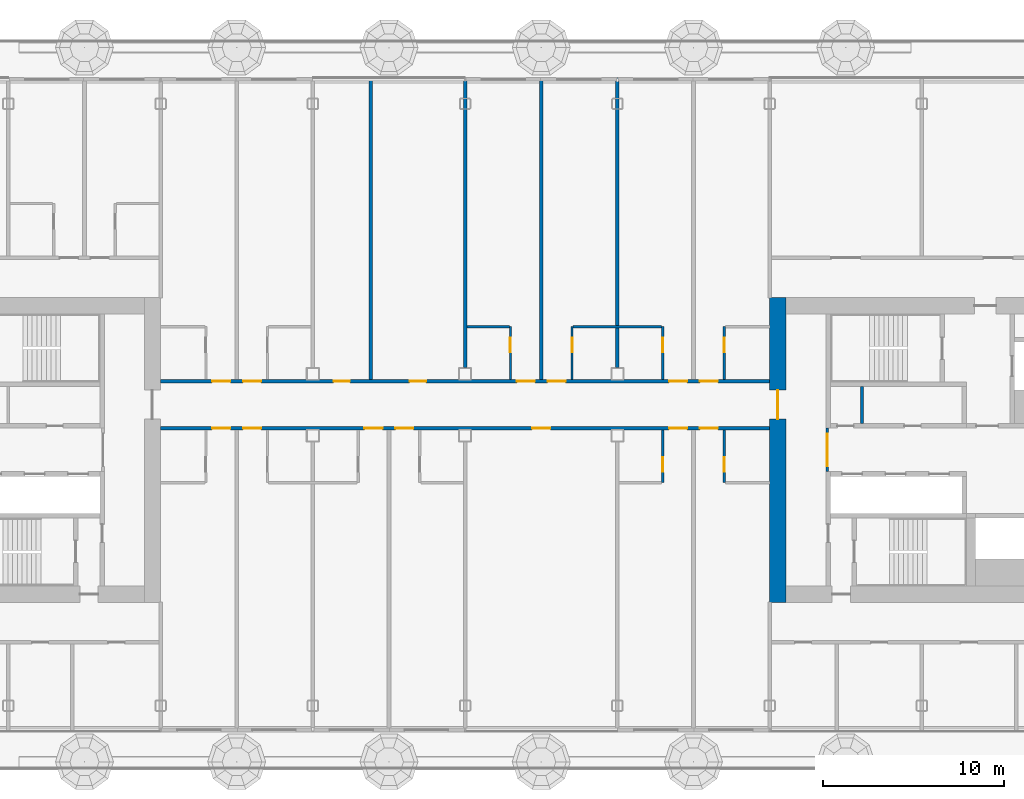
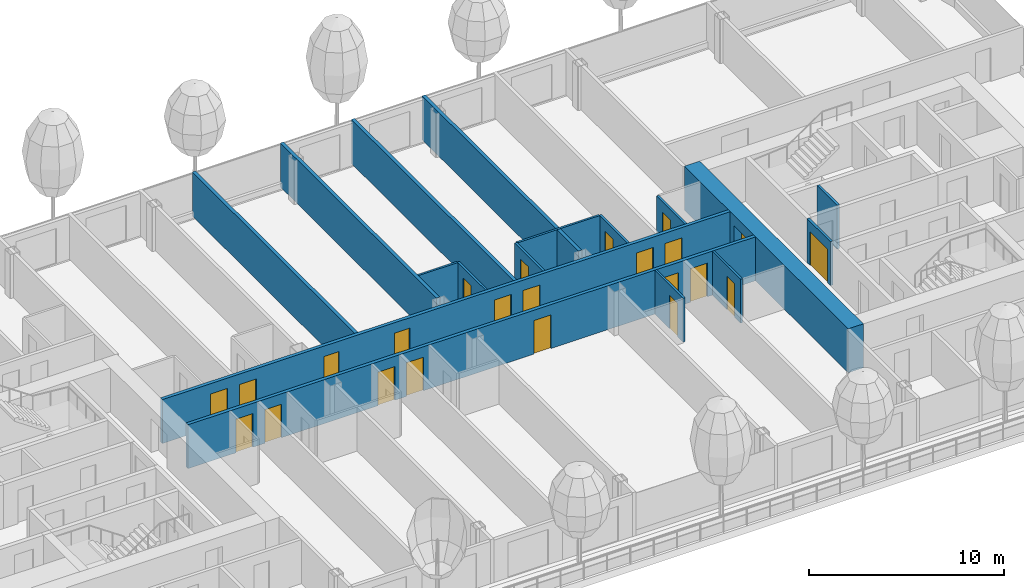
# One storey, part 14 of 29: 23 doors, 17 walls, 23 openings.
"""IFC4 building model written with IfcOpenShell, lengths in metres."""

from ifc_helpers import new_model, si_unit, direction, frame, frame_2d, origin, place, context, subcontext, project, spatial, rectangle, extrude, material, layer, layer_set, type_object, element, fill, save


model = new_model("IFC4")

# Units and contexts
model_context = context("Model", 3, precision=1e-05, world=origin(), true_north=direction((0.0, 1.0)))
body_context = subcontext(model_context, "Body", "Model", "MODEL_VIEW")
ifc_project = project(units=[si_unit("LENGTHUNIT", "METRE"), si_unit("AREAUNIT", "SQUARE_METRE"), si_unit("VOLUMEUNIT", "CUBIC_METRE"), si_unit("PLANEANGLEUNIT", "RADIAN"), si_unit("MASSUNIT", "GRAM", prefix="KILO")], contexts=[model_context])

# Site, building, storey
site_placement = place(None, origin())
site = spatial("IfcSite", under=ifc_project, at=site_placement, CompositionType="ELEMENT")
building_placement = place(site_placement, origin())
building = spatial("IfcBuilding", under=site, at=building_placement, Name="Hakoniwa Tower and Hamabe Station Hall", CompositionType="ELEMENT")
storey_placement = place(building_placement, frame((0.0, 0.0, 205.800048828125)))
storey = spatial("IfcBuildingStorey", under=building, at=storey_placement, Name="L58", CompositionType="ELEMENT", Elevation=205.800048828125)

# Walls
ifc_material_1 = material(Name="Gypsum board partition", Category="gypsum")
ifc_layer_1 = layer(ifc_material_1, 0.125)
ifc_layer_set_1 = layer_set([ifc_layer_1], Name="Bathroom Partition 125")
wall_type_1 = type_object("IfcWallType", Name="Bathroom Partition 125", PredefinedType="PARTITIONING", material=ifc_layer_set_1)
wall_1_placement = place(storey_placement, frame((0.10009765625, 6.800048828125, 0.0), z_axis=(0.0, 0.0, 1.0), x_axis=(1.0, 0.0, 0.0)))
element("IfcWall", 1, at=wall_1_placement, inside=storey, type_object=wall_type_1, Name="GW-L58-012", PredefinedType="PARTITIONING", context=body_context, shape_type="SweptSolid", body=[
    extrude(rectangle(XDim=2.33740234375, YDim=0.125, at=frame_2d((1.168701171875, 0.0))), origin(), (0.0, 0.0, 1.0), 2.75),
])
wall_2_placement = place(storey_placement, frame((5.96240234375, 6.800048828125, 0.0), z_axis=(0.0, 0.0, 1.0), x_axis=(1.0, 0.0, 0.0)))
element("IfcWall", 2, at=wall_2_placement, inside=storey, type_object=wall_type_1, Name="GW-L58-013", PredefinedType="PARTITIONING", context=body_context, shape_type="SweptSolid", body=[
    extrude(rectangle(XDim=4.875, YDim=0.125, at=frame_2d((2.4375, 0.0))), origin(), (0.0, 0.0, 1.0), 2.75),
])

# Wall, opening, door
wall_3_placement = place(storey_placement, frame((2.5, 3.89990234375, 0.0), z_axis=(0.0, 0.0, 1.0), x_axis=(0.0, 1.0, 0.0)))
wall_3 = element("IfcWall", 3, at=wall_3_placement, inside=storey, type_object=wall_type_1, Name="GW-L58-046", PredefinedType="PARTITIONING", context=body_context, shape_type="SweptSolid", body=[
    extrude(rectangle(XDim=2.900146484375, YDim=0.125, at=frame_2d((1.4501953125, 0.0))), origin(), (0.0, 0.0, 1.0), 2.75),
])
opening_1_placement = place(wall_3_placement, frame((1.5, 0.0, 0.0)))
opening_1 = element("IfcOpeningElement", 4, at=opening_1_placement, cuts=wall_3, Name="Opening GD-G4B1-42", PredefinedType="OPENING", context=body_context, shape_type="SweptSolid", body=[
    extrude(rectangle(XDim=0.800048828125, YDim=2.10009765625, at=frame_2d((0.39990234375, 1.050048828125))), frame((0.0, 0.072509765625, 0.0), z_axis=(0.0, -1.0, 0.0), x_axis=(1.0, 0.0, 0.0)), (0.0, 0.0, 1.0), 0.14501953125),
])
ifc_material_2 = material(Name="Timber door leaf", Category="wood")
door_type_1 = type_object("IfcDoorType", Name="Bathroom Door 800", OperationType="SINGLE_SWING_LEFT", PredefinedType="DOOR", material=ifc_material_2)
door_1_placement = place(opening_1_placement, origin())
door_1 = element("IfcDoor", 5, at=door_1_placement, inside=storey, type_object=door_type_1, Name="Door GD-G4B1-42", OperationType="SINGLE_SWING_LEFT", OverallHeight=2.10009765625, OverallWidth=0.800048828125, PredefinedType="DOOR", context=body_context, shape_type="SweptSolid", body=[
    extrude(rectangle(XDim=0.800048828125, YDim=2.10009765625, at=frame_2d((0.39990234375, 1.050048828125))), frame((0.0, 0.02490234375, 0.0), z_axis=(0.0, -1.0, 0.0), x_axis=(1.0, 0.0, 0.0)), (0.0, 0.0, 1.0), 0.050048828125),
])
fill(opening_1, door_1)

wall_4_placement = place(storey_placement, frame((5.89990234375, 3.89990234375, 0.0), z_axis=(0.0, 0.0, 1.0), x_axis=(0.0, 1.0, 0.0)))
wall_4 = element("IfcWall", 6, at=wall_4_placement, inside=storey, type_object=wall_type_1, Name="GW-L58-048", PredefinedType="PARTITIONING", context=body_context, shape_type="SweptSolid", body=[
    extrude(rectangle(XDim=2.900146484375, YDim=0.125, at=frame_2d((1.4501953125, 0.0))), origin(), (0.0, 0.0, 1.0), 2.75),
])
opening_2_placement = place(wall_4_placement, frame((1.5, 0.0, 0.0)))
opening_2 = element("IfcOpeningElement", 7, at=opening_2_placement, cuts=wall_4, Name="Opening GD-G4B1-43", PredefinedType="OPENING", context=body_context, shape_type="SweptSolid", body=[
    extrude(rectangle(XDim=0.800048828125, YDim=2.10009765625, at=frame_2d((0.39990234375, 1.050048828125))), frame((0.0, 0.072509765625, 0.0), z_axis=(0.0, -1.0, 0.0), x_axis=(1.0, 0.0, 0.0)), (0.0, 0.0, 1.0), 0.14501953125),
])
door_2_placement = place(opening_2_placement, origin())
door_2 = element("IfcDoor", 8, at=door_2_placement, inside=storey, type_object=door_type_1, Name="Door GD-G4B1-43", OperationType="SINGLE_SWING_RIGHT", OverallHeight=2.10009765625, OverallWidth=0.800048828125, PredefinedType="DOOR", context=body_context, shape_type="SweptSolid", body=[
    extrude(rectangle(XDim=0.800048828125, YDim=2.10009765625, at=frame_2d((0.39990234375, 1.050048828125))), frame((0.0, 0.02490234375, 0.0), z_axis=(0.0, -1.0, 0.0), x_axis=(1.0, 0.0, 0.0)), (0.0, 0.0, 1.0), 0.050048828125),
])
fill(opening_2, door_2)

wall_5_placement = place(storey_placement, frame((10.89990234375, -1.800048828125, 0.0), z_axis=(0.0, 0.0, 1.0), x_axis=(0.0, 1.0, 0.0)))
wall_5 = element("IfcWall", 9, at=wall_5_placement, inside=storey, type_object=wall_type_1, Name="GW-L58-051", PredefinedType="PARTITIONING", context=body_context, shape_type="SweptSolid", body=[
    extrude(rectangle(XDim=2.900146484375, YDim=0.125, at=frame_2d((1.4501953125, 0.0))), origin(), (0.0, 0.0, 1.0), 2.75),
])
opening_3_placement = place(wall_5_placement, frame((0.60009765625, 0.0, 0.0)))
opening_3 = element("IfcOpeningElement", 10, at=opening_3_placement, cuts=wall_5, Name="Opening GD-G4B1-44", PredefinedType="OPENING", context=body_context, shape_type="SweptSolid", body=[
    extrude(rectangle(XDim=0.800048828125, YDim=2.10009765625, at=frame_2d((0.39990234375, 1.050048828125))), frame((0.0, 0.072509765625, 0.0), z_axis=(0.0, -1.0, 0.0), x_axis=(1.0, 0.0, 0.0)), (0.0, 0.0, 1.0), 0.14501953125),
])
door_3_placement = place(opening_3_placement, origin())
door_3 = element("IfcDoor", 11, at=door_3_placement, inside=storey, type_object=door_type_1, Name="Door GD-G4B1-44", OperationType="SINGLE_SWING_RIGHT", OverallHeight=2.10009765625, OverallWidth=0.800048828125, PredefinedType="DOOR", context=body_context, shape_type="SweptSolid", body=[
    extrude(rectangle(XDim=0.800048828125, YDim=2.10009765625, at=frame_2d((0.39990234375, 1.050048828125))), frame((0.0, 0.02490234375, 0.0), z_axis=(0.0, -1.0, 0.0), x_axis=(1.0, 0.0, 0.0)), (0.0, 0.0, 1.0), 0.050048828125),
])
fill(opening_3, door_3)

wall_6_placement = place(storey_placement, frame((10.89990234375, 3.89990234375, 0.0), z_axis=(0.0, 0.0, 1.0), x_axis=(0.0, 1.0, 0.0)))
wall_6 = element("IfcWall", 12, at=wall_6_placement, inside=storey, type_object=wall_type_1, Name="GW-L58-052", PredefinedType="PARTITIONING", context=body_context, shape_type="SweptSolid", body=[
    extrude(rectangle(XDim=2.900146484375, YDim=0.125, at=frame_2d((1.4501953125, 0.0))), origin(), (0.0, 0.0, 1.0), 2.75),
])
opening_4_placement = place(wall_6_placement, frame((1.5, 0.0, 0.0)))
opening_4 = element("IfcOpeningElement", 13, at=opening_4_placement, cuts=wall_6, Name="Opening GD-G4B1-45", PredefinedType="OPENING", context=body_context, shape_type="SweptSolid", body=[
    extrude(rectangle(XDim=0.800048828125, YDim=2.10009765625, at=frame_2d((0.39990234375, 1.050048828125))), frame((0.0, 0.072509765625, 0.0), z_axis=(0.0, -1.0, 0.0), x_axis=(1.0, 0.0, 0.0)), (0.0, 0.0, 1.0), 0.14501953125),
])
door_4_placement = place(opening_4_placement, origin())
door_4 = element("IfcDoor", 14, at=door_4_placement, inside=storey, type_object=door_type_1, Name="Door GD-G4B1-45", OperationType="SINGLE_SWING_LEFT", OverallHeight=2.10009765625, OverallWidth=0.800048828125, PredefinedType="DOOR", context=body_context, shape_type="SweptSolid", body=[
    extrude(rectangle(XDim=0.800048828125, YDim=2.10009765625, at=frame_2d((0.39990234375, 1.050048828125))), frame((0.0, 0.02490234375, 0.0), z_axis=(0.0, -1.0, 0.0), x_axis=(1.0, 0.0, 0.0)), (0.0, 0.0, 1.0), 0.050048828125),
])
fill(opening_4, door_4)

wall_7_placement = place(storey_placement, frame((14.300048828125, -1.800048828125, 0.0), z_axis=(0.0, 0.0, 1.0), x_axis=(0.0, 1.0, 0.0)))
wall_7 = element("IfcWall", 15, at=wall_7_placement, inside=storey, type_object=wall_type_1, Name="GW-L58-055", PredefinedType="PARTITIONING", context=body_context, shape_type="SweptSolid", body=[
    extrude(rectangle(XDim=2.900146484375, YDim=0.125, at=frame_2d((1.4501953125, 0.0))), origin(), (0.0, 0.0, 1.0), 2.75),
])
opening_5_placement = place(wall_7_placement, frame((0.60009765625, 0.0, 0.0)))
opening_5 = element("IfcOpeningElement", 16, at=opening_5_placement, cuts=wall_7, Name="Opening GD-G4B1-46", PredefinedType="OPENING", context=body_context, shape_type="SweptSolid", body=[
    extrude(rectangle(XDim=0.800048828125, YDim=2.10009765625, at=frame_2d((0.39990234375, 1.050048828125))), frame((0.0, 0.072509765625, 0.0), z_axis=(0.0, -1.0, 0.0), x_axis=(1.0, 0.0, 0.0)), (0.0, 0.0, 1.0), 0.14501953125),
])
door_5_placement = place(opening_5_placement, origin())
door_5 = element("IfcDoor", 17, at=door_5_placement, inside=storey, type_object=door_type_1, Name="Door GD-G4B1-46", OperationType="SINGLE_SWING_LEFT", OverallHeight=2.10009765625, OverallWidth=0.800048828125, PredefinedType="DOOR", context=body_context, shape_type="SweptSolid", body=[
    extrude(rectangle(XDim=0.800048828125, YDim=2.10009765625, at=frame_2d((0.39990234375, 1.050048828125))), frame((0.0, 0.02490234375, 0.0), z_axis=(0.0, -1.0, 0.0), x_axis=(1.0, 0.0, 0.0)), (0.0, 0.0, 1.0), 0.050048828125),
])
fill(opening_5, door_5)

wall_8_placement = place(storey_placement, frame((14.300048828125, 3.89990234375, 0.0), z_axis=(0.0, 0.0, 1.0), x_axis=(0.0, 1.0, 0.0)))
wall_8 = element("IfcWall", 18, at=wall_8_placement, inside=storey, type_object=wall_type_1, Name="GW-L58-056", PredefinedType="PARTITIONING", context=body_context, shape_type="SweptSolid", body=[
    extrude(rectangle(XDim=2.900146484375, YDim=0.125, at=frame_2d((1.4501953125, 0.0))), origin(), (0.0, 0.0, 1.0), 2.75),
])
opening_6_placement = place(wall_8_placement, frame((1.5, 0.0, 0.0)))
opening_6 = element("IfcOpeningElement", 19, at=opening_6_placement, cuts=wall_8, Name="Opening GD-G4B1-47", PredefinedType="OPENING", context=body_context, shape_type="SweptSolid", body=[
    extrude(rectangle(XDim=0.800048828125, YDim=2.10009765625, at=frame_2d((0.39990234375, 1.050048828125))), frame((0.0, 0.072509765625, 0.0), z_axis=(0.0, -1.0, 0.0), x_axis=(1.0, 0.0, 0.0)), (0.0, 0.0, 1.0), 0.14501953125),
])
door_6_placement = place(opening_6_placement, origin())
door_6 = element("IfcDoor", 20, at=door_6_placement, inside=storey, type_object=door_type_1, Name="Door GD-G4B1-47", OperationType="SINGLE_SWING_RIGHT", OverallHeight=2.10009765625, OverallWidth=0.800048828125, PredefinedType="DOOR", context=body_context, shape_type="SweptSolid", body=[
    extrude(rectangle(XDim=0.800048828125, YDim=2.10009765625, at=frame_2d((0.39990234375, 1.050048828125))), frame((0.0, 0.02490234375, 0.0), z_axis=(0.0, -1.0, 0.0), x_axis=(1.0, 0.0, 0.0)), (0.0, 0.0, 1.0), 0.050048828125),
])
fill(opening_6, door_6)

ifc_material_3 = material(Name="Gypsum board partition")
ifc_layer_2 = layer(ifc_material_3, 0.14990234375)
ifc_layer_set_2 = layer_set([ifc_layer_2], Name="CORE PARTITION 150 EI 60")
wall_type_2 = type_object("IfcWallType", Name="CORE PARTITION 150 EI 60", PredefinedType="PARTITIONING", material=ifc_layer_set_2)
wall_9_placement = place(storey_placement, frame((19.97509765625, -1.199951171875, 0.0), z_axis=(0.0, 0.0, 1.0), x_axis=(0.0, 1.0, 0.0)))
wall_9 = element("IfcWall", 21, at=wall_9_placement, inside=storey, type_object=wall_type_2, Name="Core partition PL0 east", PredefinedType="PARTITIONING", context=body_context, shape_type="SweptSolid", body=[
    extrude(rectangle(XDim=2.39990234375, YDim=0.14990234375, at=frame_2d((1.199951171875, 0.0))), origin(), (0.0, 0.0, 1.0), 2.75),
])
opening_7_placement = place(wall_9_placement, frame((0.300048828125, 0.0, 0.0)))
opening_7 = element("IfcOpeningElement", 22, at=opening_7_placement, cuts=wall_9, Name="Opening CD-E-LP0-18", PredefinedType="OPENING", context=body_context, shape_type="SweptSolid", body=[
    extrude(rectangle(XDim=1.800048828125, YDim=2.10009765625, at=frame_2d((0.89990234375, 1.050048828125))), frame((0.0, 0.0849609375, 0.0), z_axis=(0.0, -1.0, 0.0), x_axis=(1.0, 0.0, 0.0)), (0.0, 0.0, 1.0), 0.169921875),
])
ifc_material_4 = material(Name="Steel fire door", Category="steel")
door_type_2 = type_object("IfcDoorType", Name="CORE DOOR 1800 FD60", OperationType="DOUBLE_DOOR_SINGLE_SWING", PredefinedType="DOOR", material=ifc_material_4)
door_7_placement = place(opening_7_placement, origin())
door_7 = element("IfcDoor", 23, at=door_7_placement, inside=storey, type_object=door_type_2, Name="Lift lobby partition door", OperationType="DOUBLE_DOOR_SINGLE_SWING", OverallHeight=2.10009765625, OverallWidth=1.800048828125, PredefinedType="DOOR", context=body_context, shape_type="SweptSolid", body=[
    extrude(rectangle(XDim=1.800048828125, YDim=2.10009765625, at=frame_2d((0.89990234375, 1.050048828125))), frame((0.0, 0.02490234375, 0.0), z_axis=(0.0, -1.0, 0.0), x_axis=(1.0, 0.0, 0.0)), (0.0, 0.0, 1.0), 0.050048828125),
])
fill(opening_7, door_7)

# Wall
wall_10_placement = place(storey_placement, frame((21.89990234375, 1.449951171875, 0.0), z_axis=(0.0, 0.0, 1.0), x_axis=(0.0, 1.0, 0.0)))
element("IfcWall", 24, at=wall_10_placement, inside=storey, type_object=wall_type_2, Name="Core partition PFLR0 east", PredefinedType="PARTITIONING", context=body_context, shape_type="SweptSolid", body=[
    extrude(rectangle(XDim=2.050048828125, YDim=0.14990234375, at=frame_2d((1.02490234375, 0.0))), origin(), (0.0, 0.0, 1.0), 2.75),
])

# Wall, opening, door
ifc_material_5 = material(Name="Concrete C60", Category="concrete")
ifc_layer_3 = layer(ifc_material_5, 0.89990234375)
ifc_layer_set_3 = layer_set([ifc_layer_3], Name="CORE WALL 900 C60")
wall_type_3 = type_object("IfcWallType", Name="CORE WALL 900 C60", PredefinedType="SHEAR", material=ifc_layer_set_3)
wall_11_placement = place(storey_placement, frame((17.25, -8.39990234375, 0.0), z_axis=(0.0, 0.0, 1.0), x_axis=(0.0, 1.0, 0.0)))
wall_11 = element("IfcWall", 25, at=wall_11_placement, inside=storey, type_object=wall_type_3, Name="Core wall INNER east", PredefinedType="SHEAR", context=body_context, shape_type="SweptSolid", body=[
    extrude(rectangle(XDim=16.7998046875, YDim=0.89990234375, at=frame_2d((8.39990234375, 0.0))), origin(), (0.0, 0.0, 1.0), 2.75),
])
opening_8_placement = place(wall_11_placement, frame((10.10009765625, 0.0, 0.0)))
opening_8 = element("IfcOpeningElement", 26, at=opening_8_placement, cuts=wall_11, Name="Opening CD-E-IN1-16", PredefinedType="OPENING", context=body_context, shape_type="SweptSolid", body=[
    extrude(rectangle(XDim=1.60009765625, YDim=2.10009765625, at=frame_2d((0.800048828125, 1.050048828125))), frame((0.0, 0.4599609375, 0.0), z_axis=(0.0, -1.0, 0.0), x_axis=(1.0, 0.0, 0.0)), (0.0, 0.0, 1.0), 0.919921875),
])
ifc_material_6 = material(Name="Steel fire door", Category="steel")
door_type_3 = type_object("IfcDoorType", Name="CORE DOOR 1600 FD60", OperationType="DOUBLE_DOOR_SINGLE_SWING", PredefinedType="DOOR", material=ifc_material_6)
door_8_placement = place(opening_8_placement, origin())
door_8 = element("IfcDoor", 27, at=door_8_placement, inside=storey, type_object=door_type_3, Name="Lift lobby door", OperationType="DOUBLE_DOOR_SINGLE_SWING", OverallHeight=2.10009765625, OverallWidth=1.60009765625, PredefinedType="DOOR", context=body_context, shape_type="SweptSolid", body=[
    extrude(rectangle(XDim=1.60009765625, YDim=2.10009765625, at=frame_2d((0.800048828125, 1.050048828125))), frame((0.0, 0.02490234375, 0.0), z_axis=(0.0, -1.0, 0.0), x_axis=(1.0, 0.0, 0.0)), (0.0, 0.0, 1.0), 0.050048828125),
])
fill(opening_8, door_8)

# Wall, openings, doors
ifc_material_7 = material(Name="Fire-rated gypsum board partition", Category="gypsum")
ifc_layer_4 = layer(ifc_material_7, 0.199951171875)
ifc_layer_set_4 = layer_set([ifc_layer_4], Name="Corridor Wall 200")
wall_type_4 = type_object("IfcWallType", Name="Corridor Wall 200", PredefinedType="PARTITIONING", material=ifc_layer_set_4)
wall_12_placement = place(storey_placement, frame((-16.800048828125, 1.199951171875, 0.0), z_axis=(0.0, 0.0, 1.0), x_axis=(1.0, 0.0, 0.0)))
wall_12 = element("IfcWall", 28, at=wall_12_placement, inside=storey, type_object=wall_type_4, Name="GW-L58-008", PredefinedType="PARTITIONING", context=body_context, shape_type="SweptSolid", body=[
    extrude(rectangle(XDim=33.60009765625, YDim=0.199951171875, at=frame_2d((16.800048828125, 0.0))), origin(), (0.0, 0.0, 1.0), 2.75),
])
opening_9_placement = place(wall_12_placement, frame((2.85009765625, 0.0, 0.0)))
opening_9 = element("IfcOpeningElement", 29, at=opening_9_placement, cuts=wall_12, Name="Opening GD-G4B1-11", PredefinedType="OPENING", context=body_context, shape_type="SweptSolid", body=[
    extrude(rectangle(XDim=1.0, YDim=2.10009765625, at=frame_2d((0.5, 1.050048828125))), frame((0.0, 0.10986328125, 0.0), z_axis=(0.0, -1.0, 0.0), x_axis=(1.0, 0.0, 0.0)), (0.0, 0.0, 1.0), 0.219970703125),
])
opening_10_placement = place(wall_12_placement, frame((4.550048828125, 0.0, 0.0)))
opening_10 = element("IfcOpeningElement", 30, at=opening_10_placement, cuts=wall_12, Name="Opening GD-G4B1-12", PredefinedType="OPENING", context=body_context, shape_type="SweptSolid", body=[
    extrude(rectangle(XDim=1.0, YDim=2.10009765625, at=frame_2d((0.5, 1.050048828125))), frame((0.0, 0.10986328125, 0.0), z_axis=(0.0, -1.0, 0.0), x_axis=(1.0, 0.0, 0.0)), (0.0, 0.0, 1.0), 0.219970703125),
])
opening_11_placement = place(wall_12_placement, frame((11.25, 0.0, 0.0)))
opening_11 = element("IfcOpeningElement", 31, at=opening_11_placement, cuts=wall_12, Name="Opening GD-G4B1-13", PredefinedType="OPENING", context=body_context, shape_type="SweptSolid", body=[
    extrude(rectangle(XDim=1.0, YDim=2.10009765625, at=frame_2d((0.5, 1.050048828125))), frame((0.0, 0.10986328125, 0.0), z_axis=(0.0, -1.0, 0.0), x_axis=(1.0, 0.0, 0.0)), (0.0, 0.0, 1.0), 0.219970703125),
])
opening_12_placement = place(wall_12_placement, frame((12.949951171875, 0.0, 0.0)))
opening_12 = element("IfcOpeningElement", 32, at=opening_12_placement, cuts=wall_12, Name="Opening GD-G4B1-14", PredefinedType="OPENING", context=body_context, shape_type="SweptSolid", body=[
    extrude(rectangle(XDim=1.0, YDim=2.10009765625, at=frame_2d((0.5, 1.050048828125))), frame((0.0, 0.10986328125, 0.0), z_axis=(0.0, -1.0, 0.0), x_axis=(1.0, 0.0, 0.0)), (0.0, 0.0, 1.0), 0.219970703125),
])
opening_13_placement = place(wall_12_placement, frame((20.5, 0.0, 0.0)))
opening_13 = element("IfcOpeningElement", 33, at=opening_13_placement, cuts=wall_12, Name="Opening GD-G4B1-15", PredefinedType="OPENING", context=body_context, shape_type="SweptSolid", body=[
    extrude(rectangle(XDim=1.0, YDim=2.10009765625, at=frame_2d((0.5, 1.050048828125))), frame((0.0, 0.10986328125, 0.0), z_axis=(0.0, -1.0, 0.0), x_axis=(1.0, 0.0, 0.0)), (0.0, 0.0, 1.0), 0.219970703125),
])
opening_14_placement = place(wall_12_placement, frame((28.050048828125, 0.0, 0.0)))
opening_14 = element("IfcOpeningElement", 34, at=opening_14_placement, cuts=wall_12, Name="Opening GD-G4B1-16", PredefinedType="OPENING", context=body_context, shape_type="SweptSolid", body=[
    extrude(rectangle(XDim=1.0, YDim=2.10009765625, at=frame_2d((0.5, 1.050048828125))), frame((0.0, 0.10986328125, 0.0), z_axis=(0.0, -1.0, 0.0), x_axis=(1.0, 0.0, 0.0)), (0.0, 0.0, 1.0), 0.219970703125),
])
opening_15_placement = place(wall_12_placement, frame((29.75, 0.0, 0.0)))
opening_15 = element("IfcOpeningElement", 35, at=opening_15_placement, cuts=wall_12, Name="Opening GD-G4B1-17", PredefinedType="OPENING", context=body_context, shape_type="SweptSolid", body=[
    extrude(rectangle(XDim=1.0, YDim=2.10009765625, at=frame_2d((0.5, 1.050048828125))), frame((0.0, 0.10986328125, 0.0), z_axis=(0.0, -1.0, 0.0), x_axis=(1.0, 0.0, 0.0)), (0.0, 0.0, 1.0), 0.219970703125),
])
ifc_material_8 = material(Name="Timber door leaf", Category="wood")
door_type_4 = type_object("IfcDoorType", Name="Guest Entrance Door 1000", OperationType="SINGLE_SWING_LEFT", PredefinedType="DOOR", material=ifc_material_8)
door_9_placement = place(opening_9_placement, origin())
door_9 = element("IfcDoor", 36, at=door_9_placement, inside=storey, type_object=door_type_4, Name="Door GD-G4B1-11", OperationType="SINGLE_SWING_LEFT", OverallHeight=2.10009765625, OverallWidth=1.0, PredefinedType="DOOR", context=body_context, shape_type="SweptSolid", body=[
    extrude(rectangle(XDim=1.0, YDim=2.10009765625, at=frame_2d((0.5, 1.050048828125))), frame((0.0, 0.02490234375, 0.0), z_axis=(0.0, -1.0, 0.0), x_axis=(1.0, 0.0, 0.0)), (0.0, 0.0, 1.0), 0.050048828125),
])
fill(opening_9, door_9)
door_10_placement = place(opening_10_placement, origin())
door_10 = element("IfcDoor", 37, at=door_10_placement, inside=storey, type_object=door_type_4, Name="Door GD-G4B1-12", OperationType="SINGLE_SWING_RIGHT", OverallHeight=2.10009765625, OverallWidth=1.0, PredefinedType="DOOR", context=body_context, shape_type="SweptSolid", body=[
    extrude(rectangle(XDim=1.0, YDim=2.10009765625, at=frame_2d((0.5, 1.050048828125))), frame((0.0, 0.02490234375, 0.0), z_axis=(0.0, -1.0, 0.0), x_axis=(1.0, 0.0, 0.0)), (0.0, 0.0, 1.0), 0.050048828125),
])
fill(opening_10, door_10)
door_11_placement = place(opening_11_placement, origin())
door_11 = element("IfcDoor", 38, at=door_11_placement, inside=storey, type_object=door_type_4, Name="Door GD-G4B1-13", OperationType="SINGLE_SWING_LEFT", OverallHeight=2.10009765625, OverallWidth=1.0, PredefinedType="DOOR", context=body_context, shape_type="SweptSolid", body=[
    extrude(rectangle(XDim=1.0, YDim=2.10009765625, at=frame_2d((0.5, 1.050048828125))), frame((0.0, 0.02490234375, 0.0), z_axis=(0.0, -1.0, 0.0), x_axis=(1.0, 0.0, 0.0)), (0.0, 0.0, 1.0), 0.050048828125),
])
fill(opening_11, door_11)
door_12_placement = place(opening_12_placement, origin())
door_12 = element("IfcDoor", 39, at=door_12_placement, inside=storey, type_object=door_type_4, Name="Door GD-G4B1-14", OperationType="SINGLE_SWING_RIGHT", OverallHeight=2.10009765625, OverallWidth=1.0, PredefinedType="DOOR", context=body_context, shape_type="SweptSolid", body=[
    extrude(rectangle(XDim=1.0, YDim=2.10009765625, at=frame_2d((0.5, 1.050048828125))), frame((0.0, 0.02490234375, 0.0), z_axis=(0.0, -1.0, 0.0), x_axis=(1.0, 0.0, 0.0)), (0.0, 0.0, 1.0), 0.050048828125),
])
fill(opening_12, door_12)
door_13_placement = place(opening_13_placement, origin())
door_13 = element("IfcDoor", 40, at=door_13_placement, inside=storey, type_object=door_type_4, Name="Door GD-G4B1-15", OperationType="SINGLE_SWING_LEFT", OverallHeight=2.10009765625, OverallWidth=1.0, PredefinedType="DOOR", context=body_context, shape_type="SweptSolid", body=[
    extrude(rectangle(XDim=1.0, YDim=2.10009765625, at=frame_2d((0.5, 1.050048828125))), frame((0.0, 0.02490234375, 0.0), z_axis=(0.0, -1.0, 0.0), x_axis=(1.0, 0.0, 0.0)), (0.0, 0.0, 1.0), 0.050048828125),
])
fill(opening_13, door_13)
door_14_placement = place(opening_14_placement, origin())
door_14 = element("IfcDoor", 41, at=door_14_placement, inside=storey, type_object=door_type_4, Name="Door GD-G4B1-16", OperationType="SINGLE_SWING_RIGHT", OverallHeight=2.10009765625, OverallWidth=1.0, PredefinedType="DOOR", context=body_context, shape_type="SweptSolid", body=[
    extrude(rectangle(XDim=1.0, YDim=2.10009765625, at=frame_2d((0.5, 1.050048828125))), frame((0.0, 0.02490234375, 0.0), z_axis=(0.0, -1.0, 0.0), x_axis=(1.0, 0.0, 0.0)), (0.0, 0.0, 1.0), 0.050048828125),
])
fill(opening_14, door_14)
door_15_placement = place(opening_15_placement, origin())
door_15 = element("IfcDoor", 42, at=door_15_placement, inside=storey, type_object=door_type_4, Name="Door GD-G4B1-17", OperationType="SINGLE_SWING_LEFT", OverallHeight=2.10009765625, OverallWidth=1.0, PredefinedType="DOOR", context=body_context, shape_type="SweptSolid", body=[
    extrude(rectangle(XDim=1.0, YDim=2.10009765625, at=frame_2d((0.5, 1.050048828125))), frame((0.0, 0.02490234375, 0.0), z_axis=(0.0, -1.0, 0.0), x_axis=(1.0, 0.0, 0.0)), (0.0, 0.0, 1.0), 0.050048828125),
])
fill(opening_15, door_15)

wall_13_placement = place(storey_placement, frame((-16.800048828125, 3.800048828125, 0.0), z_axis=(0.0, 0.0, 1.0), x_axis=(1.0, 0.0, 0.0)))
wall_13 = element("IfcWall", 43, at=wall_13_placement, inside=storey, type_object=wall_type_4, Name="GW-L58-009", PredefinedType="PARTITIONING", context=body_context, shape_type="SweptSolid", body=[
    extrude(rectangle(XDim=33.60009765625, YDim=0.199951171875, at=frame_2d((16.800048828125, 0.0))), origin(), (0.0, 0.0, 1.0), 2.75),
])
opening_16_placement = place(wall_13_placement, frame((2.85009765625, 0.0, 0.0)))
opening_16 = element("IfcOpeningElement", 44, at=opening_16_placement, cuts=wall_13, Name="Opening GD-G4B1-18", PredefinedType="OPENING", context=body_context, shape_type="SweptSolid", body=[
    extrude(rectangle(XDim=1.0, YDim=2.10009765625, at=frame_2d((0.5, 1.050048828125))), frame((0.0, 0.10986328125, 0.0), z_axis=(0.0, -1.0, 0.0), x_axis=(1.0, 0.0, 0.0)), (0.0, 0.0, 1.0), 0.219970703125),
])
opening_17_placement = place(wall_13_placement, frame((4.550048828125, 0.0, 0.0)))
opening_17 = element("IfcOpeningElement", 45, at=opening_17_placement, cuts=wall_13, Name="Opening GD-G4B1-19", PredefinedType="OPENING", context=body_context, shape_type="SweptSolid", body=[
    extrude(rectangle(XDim=1.0, YDim=2.10009765625, at=frame_2d((0.5, 1.050048828125))), frame((0.0, 0.10986328125, 0.0), z_axis=(0.0, -1.0, 0.0), x_axis=(1.0, 0.0, 0.0)), (0.0, 0.0, 1.0), 0.219970703125),
])
opening_18_placement = place(wall_13_placement, frame((9.544921875, 0.0, 0.0)))
opening_18 = element("IfcOpeningElement", 46, at=opening_18_placement, cuts=wall_13, Name="Opening GD-G4B1-20", PredefinedType="OPENING", context=body_context, shape_type="SweptSolid", body=[
    extrude(rectangle(XDim=0.89990234375, YDim=2.10009765625, at=frame_2d((0.449951171875, 1.050048828125))), frame((0.0, 0.10986328125, 0.0), z_axis=(0.0, -1.0, 0.0), x_axis=(1.0, 0.0, 0.0)), (0.0, 0.0, 1.0), 0.219970703125),
])
opening_19_placement = place(wall_13_placement, frame((13.7451171875, 0.0, 0.0)))
opening_19 = element("IfcOpeningElement", 47, at=opening_19_placement, cuts=wall_13, Name="Opening GD-G4B1-21", PredefinedType="OPENING", context=body_context, shape_type="SweptSolid", body=[
    extrude(rectangle(XDim=0.89990234375, YDim=2.10009765625, at=frame_2d((0.449951171875, 1.050048828125))), frame((0.0, 0.10986328125, 0.0), z_axis=(0.0, -1.0, 0.0), x_axis=(1.0, 0.0, 0.0)), (0.0, 0.0, 1.0), 0.219970703125),
])
opening_20_placement = place(wall_13_placement, frame((19.64990234375, 0.0, 0.0)))
opening_20 = element("IfcOpeningElement", 48, at=opening_20_placement, cuts=wall_13, Name="Opening GD-G4B1-22", PredefinedType="OPENING", context=body_context, shape_type="SweptSolid", body=[
    extrude(rectangle(XDim=1.0, YDim=2.10009765625, at=frame_2d((0.5, 1.050048828125))), frame((0.0, 0.10986328125, 0.0), z_axis=(0.0, -1.0, 0.0), x_axis=(1.0, 0.0, 0.0)), (0.0, 0.0, 1.0), 0.219970703125),
])
opening_21_placement = place(wall_13_placement, frame((21.35009765625, 0.0, 0.0)))
opening_21 = element("IfcOpeningElement", 49, at=opening_21_placement, cuts=wall_13, Name="Opening GD-G4B1-23", PredefinedType="OPENING", context=body_context, shape_type="SweptSolid", body=[
    extrude(rectangle(XDim=1.0, YDim=2.10009765625, at=frame_2d((0.5, 1.050048828125))), frame((0.0, 0.10986328125, 0.0), z_axis=(0.0, -1.0, 0.0), x_axis=(1.0, 0.0, 0.0)), (0.0, 0.0, 1.0), 0.219970703125),
])
opening_22_placement = place(wall_13_placement, frame((28.050048828125, 0.0, 0.0)))
opening_22 = element("IfcOpeningElement", 50, at=opening_22_placement, cuts=wall_13, Name="Opening GD-G4B1-24", PredefinedType="OPENING", context=body_context, shape_type="SweptSolid", body=[
    extrude(rectangle(XDim=1.0, YDim=2.10009765625, at=frame_2d((0.5, 1.050048828125))), frame((0.0, 0.10986328125, 0.0), z_axis=(0.0, -1.0, 0.0), x_axis=(1.0, 0.0, 0.0)), (0.0, 0.0, 1.0), 0.219970703125),
])
opening_23_placement = place(wall_13_placement, frame((29.75, 0.0, 0.0)))
opening_23 = element("IfcOpeningElement", 51, at=opening_23_placement, cuts=wall_13, Name="Opening GD-G4B1-25", PredefinedType="OPENING", context=body_context, shape_type="SweptSolid", body=[
    extrude(rectangle(XDim=1.0, YDim=2.10009765625, at=frame_2d((0.5, 1.050048828125))), frame((0.0, 0.10986328125, 0.0), z_axis=(0.0, -1.0, 0.0), x_axis=(1.0, 0.0, 0.0)), (0.0, 0.0, 1.0), 0.219970703125),
])
door_16_placement = place(opening_16_placement, origin())
door_16 = element("IfcDoor", 52, at=door_16_placement, inside=storey, type_object=door_type_4, Name="Door GD-G4B1-18", OperationType="SINGLE_SWING_LEFT", OverallHeight=2.10009765625, OverallWidth=1.0, PredefinedType="DOOR", context=body_context, shape_type="SweptSolid", body=[
    extrude(rectangle(XDim=1.0, YDim=2.10009765625, at=frame_2d((0.5, 1.050048828125))), frame((0.0, 0.02490234375, 0.0), z_axis=(0.0, -1.0, 0.0), x_axis=(1.0, 0.0, 0.0)), (0.0, 0.0, 1.0), 0.050048828125),
])
fill(opening_16, door_16)
door_17_placement = place(opening_17_placement, origin())
door_17 = element("IfcDoor", 53, at=door_17_placement, inside=storey, type_object=door_type_4, Name="Door GD-G4B1-19", OperationType="SINGLE_SWING_RIGHT", OverallHeight=2.10009765625, OverallWidth=1.0, PredefinedType="DOOR", context=body_context, shape_type="SweptSolid", body=[
    extrude(rectangle(XDim=1.0, YDim=2.10009765625, at=frame_2d((0.5, 1.050048828125))), frame((0.0, 0.02490234375, 0.0), z_axis=(0.0, -1.0, 0.0), x_axis=(1.0, 0.0, 0.0)), (0.0, 0.0, 1.0), 0.050048828125),
])
fill(opening_17, door_17)
door_18_placement = place(opening_20_placement, origin())
door_18 = element("IfcDoor", 54, at=door_18_placement, inside=storey, type_object=door_type_4, Name="Door GD-G4B1-22", OperationType="SINGLE_SWING_RIGHT", OverallHeight=2.10009765625, OverallWidth=1.0, PredefinedType="DOOR", context=body_context, shape_type="SweptSolid", body=[
    extrude(rectangle(XDim=1.0, YDim=2.10009765625, at=frame_2d((0.5, 1.050048828125))), frame((0.0, 0.02490234375, 0.0), z_axis=(0.0, -1.0, 0.0), x_axis=(1.0, 0.0, 0.0)), (0.0, 0.0, 1.0), 0.050048828125),
])
fill(opening_20, door_18)
door_19_placement = place(opening_21_placement, origin())
door_19 = element("IfcDoor", 55, at=door_19_placement, inside=storey, type_object=door_type_4, Name="Door GD-G4B1-23", OperationType="SINGLE_SWING_LEFT", OverallHeight=2.10009765625, OverallWidth=1.0, PredefinedType="DOOR", context=body_context, shape_type="SweptSolid", body=[
    extrude(rectangle(XDim=1.0, YDim=2.10009765625, at=frame_2d((0.5, 1.050048828125))), frame((0.0, 0.02490234375, 0.0), z_axis=(0.0, -1.0, 0.0), x_axis=(1.0, 0.0, 0.0)), (0.0, 0.0, 1.0), 0.050048828125),
])
fill(opening_21, door_19)
door_20_placement = place(opening_22_placement, origin())
door_20 = element("IfcDoor", 56, at=door_20_placement, inside=storey, type_object=door_type_4, Name="Door GD-G4B1-24", OperationType="SINGLE_SWING_RIGHT", OverallHeight=2.10009765625, OverallWidth=1.0, PredefinedType="DOOR", context=body_context, shape_type="SweptSolid", body=[
    extrude(rectangle(XDim=1.0, YDim=2.10009765625, at=frame_2d((0.5, 1.050048828125))), frame((0.0, 0.02490234375, 0.0), z_axis=(0.0, -1.0, 0.0), x_axis=(1.0, 0.0, 0.0)), (0.0, 0.0, 1.0), 0.050048828125),
])
fill(opening_22, door_20)
door_21_placement = place(opening_23_placement, origin())
door_21 = element("IfcDoor", 57, at=door_21_placement, inside=storey, type_object=door_type_4, Name="Door GD-G4B1-25", OperationType="SINGLE_SWING_LEFT", OverallHeight=2.10009765625, OverallWidth=1.0, PredefinedType="DOOR", context=body_context, shape_type="SweptSolid", body=[
    extrude(rectangle(XDim=1.0, YDim=2.10009765625, at=frame_2d((0.5, 1.050048828125))), frame((0.0, 0.02490234375, 0.0), z_axis=(0.0, -1.0, 0.0), x_axis=(1.0, 0.0, 0.0)), (0.0, 0.0, 1.0), 0.050048828125),
])
fill(opening_23, door_21)
ifc_material_9 = material(Name="Timber door leaf", Category="wood")
door_type_5 = type_object("IfcDoorType", Name="Service Door 900", OperationType="SINGLE_SWING_LEFT", PredefinedType="DOOR", material=ifc_material_9)
door_22_placement = place(opening_18_placement, origin())
door_22 = element("IfcDoor", 58, at=door_22_placement, inside=storey, type_object=door_type_5, Name="Door GD-G4B1-20", OperationType="SINGLE_SWING_LEFT", OverallHeight=2.10009765625, OverallWidth=0.89990234375, PredefinedType="DOOR", context=body_context, shape_type="SweptSolid", body=[
    extrude(rectangle(XDim=0.89990234375, YDim=2.10009765625, at=frame_2d((0.449951171875, 1.050048828125))), frame((0.0, 0.02490234375, 0.0), z_axis=(0.0, -1.0, 0.0), x_axis=(1.0, 0.0, 0.0)), (0.0, 0.0, 1.0), 0.050048828125),
])
fill(opening_18, door_22)
door_23_placement = place(opening_19_placement, origin())
door_23 = element("IfcDoor", 59, at=door_23_placement, inside=storey, type_object=door_type_5, Name="Door GD-G4B1-21", OperationType="SINGLE_SWING_LEFT", OverallHeight=2.10009765625, OverallWidth=0.89990234375, PredefinedType="DOOR", context=body_context, shape_type="SweptSolid", body=[
    extrude(rectangle(XDim=0.89990234375, YDim=2.10009765625, at=frame_2d((0.449951171875, 1.050048828125))), frame((0.0, 0.02490234375, 0.0), z_axis=(0.0, -1.0, 0.0), x_axis=(1.0, 0.0, 0.0)), (0.0, 0.0, 1.0), 0.050048828125),
])
fill(opening_19, door_23)

# Walls
ifc_material_10 = material(Name="Fire-rated gypsum board partition", Category="gypsum")
ifc_layer_5 = layer(ifc_material_10, 0.199951171875)
ifc_layer_set_5 = layer_set([ifc_layer_5], Name="Party Wall 200")
wall_type_5 = type_object("IfcWallType", Name="Party Wall 200", PredefinedType="PARTITIONING", material=ifc_layer_set_5)
wall_14_placement = place(storey_placement, frame((-5.2099609375, 3.89990234375, 0.0), z_axis=(0.0, 0.0, 1.0), x_axis=(0.0, 1.0, 0.0)))
element("IfcWall", 60, at=wall_14_placement, inside=storey, type_object=wall_type_5, Name="GW-L58-041", PredefinedType="PARTITIONING", context=body_context, shape_type="SweptSolid", body=[
    extrude(rectangle(XDim=16.650146484375, YDim=0.199951171875, at=frame_2d((8.3251953125, 0.0))), origin(), (0.0, 0.0, 1.0), 2.75),
])
wall_15_placement = place(storey_placement, frame((0.0, 4.5400390625, 0.0), z_axis=(0.0, 0.0, 1.0), x_axis=(0.0, 1.0, 0.0)))
element("IfcWall", 61, at=wall_15_placement, inside=storey, type_object=wall_type_5, Name="GW-L58-045", PredefinedType="PARTITIONING", context=body_context, shape_type="SweptSolid", body=[
    extrude(rectangle(XDim=16.010009765625, YDim=0.199951171875, at=frame_2d((8.0048828125, 0.0))), origin(), (0.0, 0.0, 1.0), 2.75),
])
wall_16_placement = place(storey_placement, frame((4.199951171875, 3.89990234375, 0.0), z_axis=(0.0, 0.0, 1.0), x_axis=(0.0, 1.0, 0.0)))
element("IfcWall", 62, at=wall_16_placement, inside=storey, type_object=wall_type_5, Name="GW-L58-047", PredefinedType="PARTITIONING", context=body_context, shape_type="SweptSolid", body=[
    extrude(rectangle(XDim=16.650146484375, YDim=0.199951171875, at=frame_2d((8.3251953125, 0.0))), origin(), (0.0, 0.0, 1.0), 2.75),
])
wall_17_placement = place(storey_placement, frame((8.39990234375, 4.5400390625, 0.0), z_axis=(0.0, 0.0, 1.0), x_axis=(0.0, 1.0, 0.0)))
element("IfcWall", 63, at=wall_17_placement, inside=storey, type_object=wall_type_5, Name="GW-L58-050", PredefinedType="PARTITIONING", context=body_context, shape_type="SweptSolid", body=[
    extrude(rectangle(XDim=16.010009765625, YDim=0.199951171875, at=frame_2d((8.0048828125, 0.0))), origin(), (0.0, 0.0, 1.0), 2.75),
])

save(model, "model.ifc")
